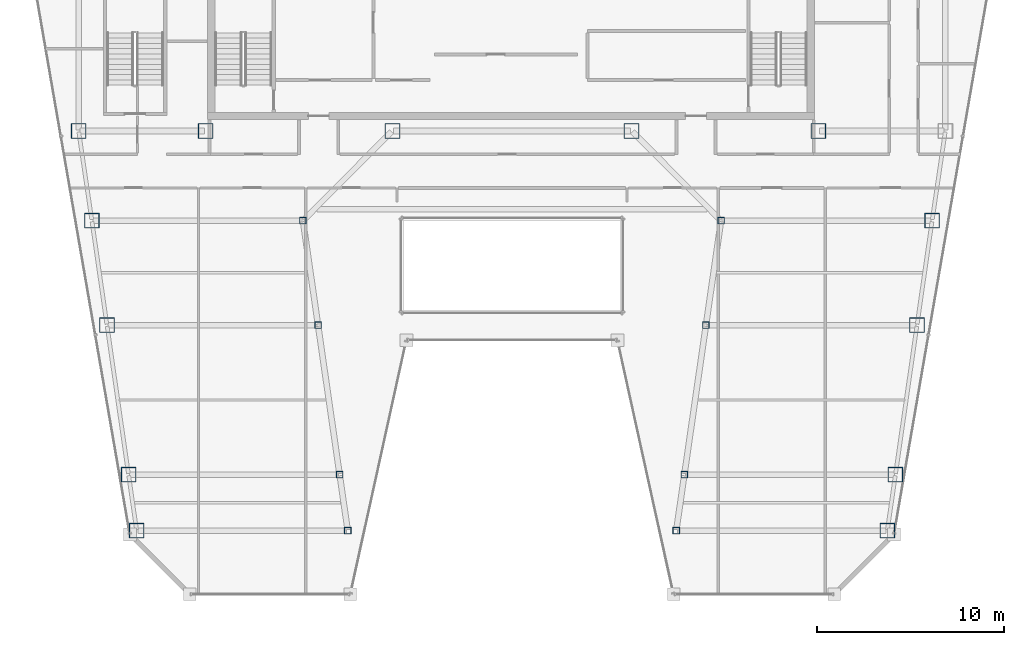
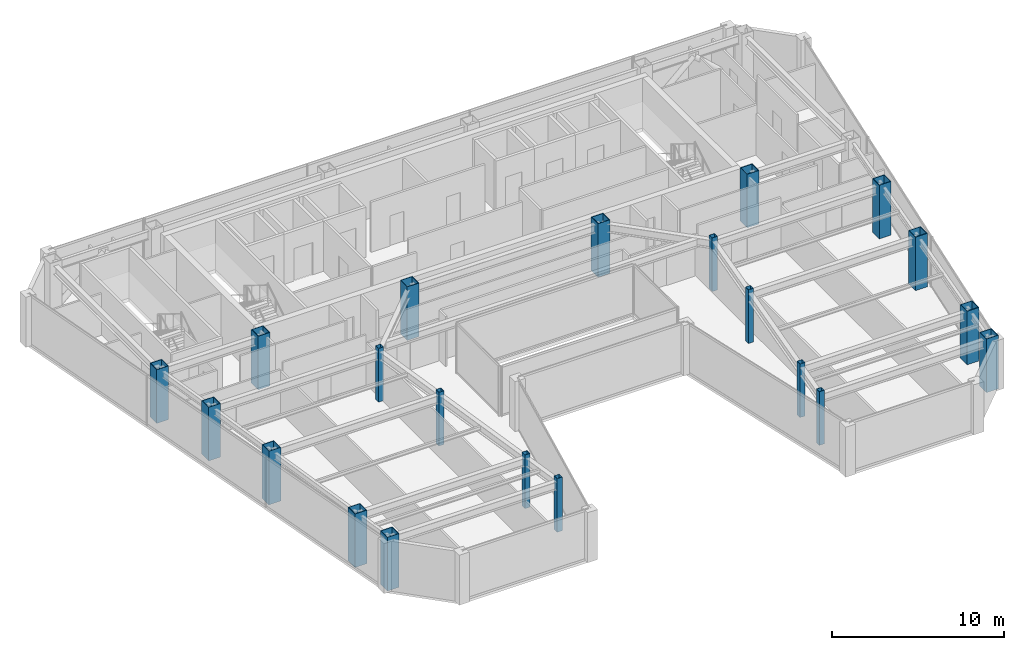
# One storey, part 1 of 32: 21 columns.
"""IFC4 building model written with IfcOpenShell, lengths in metres."""

import ifcopenshell
import ifcopenshell.guid

model = None  # the IFC model being written
_history = None  # IfcOwnerHistory: only IFC2X3 demands one
_inside = {}  # id of a spatial element -> (the spatial element, [elements in it])
_under = {}  # id of a project, library or spatial element -> (it, [spatial elements below it])
_declared = {}  # id of a project -> (the project, [libraries it declares])
_typed = {}  # id of a type object -> (the type object, [elements of that type])
_made_of = {}  # id of a material, layer set ... -> (it, [elements and type objects made of it])


def new_model(schema):
    """Start an empty IFC model of exactly this schema.

    Asked for "IFC4X3", IfcOpenShell would pick the latest addendum, in which some entities
    have other attributes; the version numbers below select the first issue.
    IFC2X3 requires an IfcOwnerHistory on every rooted entity: one is made here for all.
    """
    global model, _history
    if schema == "IFC4X3":
        model = ifcopenshell.file(schema_version=(4, 3, 0, 0))
    else:
        model = ifcopenshell.file(schema=schema)
    _inside.clear()
    _under.clear()
    _declared.clear()
    _typed.clear()
    _made_of.clear()
    _history = None
    if model.schema == "IFC2X3":
        org = make("IfcOrganization", Name="unknown")
        user = make(
            "IfcPersonAndOrganization",
            ThePerson=make("IfcPerson", FamilyName="unknown"),
            TheOrganization=org,
        )
        app = make(
            "IfcApplication",
            ApplicationDeveloper=org,
            Version="unknown",
            ApplicationFullName="unknown",
            ApplicationIdentifier="unknown",
        )
        _history = make(
            "IfcOwnerHistory",
            OwningUser=user,
            OwningApplication=app,
            ChangeAction="ADDED",
            CreationDate=0,
        )
    return model


def make(cls, **values):
    """One entity of the class cls with the attributes given. An attribute that is None is left unset."""
    return model.create_entity(
        cls, **{name: value for name, value in values.items() if value is not None}
    )


def rooted(cls, **values):
    """An entity with a GlobalId (a new one), such as an element, a storey or a relation."""
    return make(cls, GlobalId=ifcopenshell.guid.new(), OwnerHistory=_history, **values)


def si_unit(unit_type, name, prefix=None):
    """IfcSIUnit, for example si_unit("LENGTHUNIT", "METRE", prefix="MILLI")."""
    return make("IfcSIUnit", UnitType=unit_type, Prefix=prefix, Name=name)


def assignment(units):
    """IfcUnitAssignment: the units of a project."""
    return None if units is None else make("IfcUnitAssignment", Units=units)


def point(xyz):
    """IfcCartesianPoint."""
    return None if xyz is None else make("IfcCartesianPoint", Coordinates=xyz)


def direction(xyz):
    """IfcDirection."""
    return None if xyz is None else make("IfcDirection", DirectionRatios=xyz)


def frame(location, z_axis=None, x_axis=None):
    """IfcAxis2Placement3D, a coordinate frame: its origin and axes. An axis left out is left unset."""
    return make(
        "IfcAxis2Placement3D",
        Location=point(location),
        Axis=direction(z_axis),
        RefDirection=direction(x_axis),
    )


def frame_2d(location, x_axis=None):
    """IfcAxis2Placement2D, a coordinate frame in the plane: its origin and x axis."""
    return make(
        "IfcAxis2Placement2D", Location=point(location), RefDirection=direction(x_axis)
    )


def origin():
    """The frame at (0, 0, 0) with its axes left unset."""
    return frame((0.0, 0.0, 0.0))


def origin_2d():
    """The frame at (0, 0) in the plane with its x axis left unset."""
    return frame_2d((0.0, 0.0))


def place(relative_to, where):
    """IfcLocalPlacement: puts the frame where relative to a parent placement (None: the world)."""
    return make(
        "IfcLocalPlacement", PlacementRelTo=relative_to, RelativePlacement=where
    )


def context(
    kind, dimensions, precision=None, world=None, true_north=None, identifier=None
):
    """IfcGeometricRepresentationContext, for example the 3D "Model" context."""
    return make(
        "IfcGeometricRepresentationContext",
        ContextIdentifier=identifier,
        ContextType=kind,
        CoordinateSpaceDimension=dimensions,
        Precision=precision,
        WorldCoordinateSystem=world,
        TrueNorth=true_north,
    )


def subcontext(parent, identifier, kind, view, scale=None):
    """IfcGeometricRepresentationSubContext, for example "Body" below "Model"."""
    return make(
        "IfcGeometricRepresentationSubContext",
        ContextIdentifier=identifier,
        ContextType=kind,
        ParentContext=parent,
        TargetScale=scale,
        TargetView=view,
    )


def project(units=None, contexts=None):
    """IfcProject with its units and contexts."""
    return rooted(
        "IfcProject",
        Name="project",
        RepresentationContexts=contexts,
        UnitsInContext=assignment(units),
    )


def spatial(cls, under=None, at=None, **own):
    """A site, building, storey or space (cls), placed at a placement, below another one or the project."""
    s = rooted(cls, ObjectPlacement=at, **own)
    if under is not None:
        _under.setdefault(under.id(), (under, []))[1].append(s)
    return s


def profile(cls, at=None, kind="AREA", **sizes):
    """A parametric profile (cls). Its sizes go by their IFC names, for example OverallWidth=200.0."""
    return make(cls, ProfileType=kind, Position=at, **sizes)


def hollow_rectangle(**sizes):
    """IfcRectangleHollowProfileDef."""
    return profile("IfcRectangleHollowProfileDef", **sizes)


def extrude(swept, where, along, depth):
    """IfcExtrudedAreaSolid: the profile swept, set in the frame where, extruded along a direction by depth."""
    return make(
        "IfcExtrudedAreaSolid",
        SweptArea=swept,
        Position=where,
        ExtrudedDirection=direction(along),
        Depth=depth,
    )


def shape(context_of_items, identifier, shape_type, items):
    """IfcShapeRepresentation: the items that make up one representation, for example the "Body"."""
    return make(
        "IfcShapeRepresentation",
        ContextOfItems=context_of_items,
        RepresentationIdentifier=identifier,
        RepresentationType=shape_type,
        Items=items,
    )


def material(Name=None, Category=None):
    """IfcMaterial."""
    return make("IfcMaterial", Name=Name, Category=Category)


def material_profile(
    of_material, cross_section, Name=None, Category=None, Priority=None
):
    """IfcMaterialProfile: a cross section and its material."""
    return make(
        "IfcMaterialProfile",
        Name=Name,
        Material=of_material,
        Profile=cross_section,
        Priority=Priority,
        Category=Category,
    )


def profile_set(profiles, Name=None, composite=None):
    """IfcMaterialProfileSet."""
    return make(
        "IfcMaterialProfileSet",
        Name=Name,
        MaterialProfiles=profiles,
        CompositeProfile=composite,
    )


def made_of(thing, what):
    """Note that an element or type object is made of a material, layer set ...; save() writes the relation."""
    if what is not None:
        _made_of.setdefault(what.id(), (what, []))[1].append(thing)
    return thing


def type_object(cls, material=None, **own):
    """A type object (cls), such as IfcWallType, which elements share."""
    return made_of(rooted(cls, **own), material)


def element(
    cls,
    number,
    at=None,
    inside=None,
    cuts=None,
    type_object=None,
    material=None,
    context=None,
    identifier="Body",
    shape_type=None,
    held_by="IfcProductDefinitionShape",
    body=None,
    shapes=None,
    **own,
):
    """One element of the class cls, such as IfcWall. Its Tag is "e" and its number.

    at: its placement. inside: the storey or other place that contains it. cuts: it is an
    opening in that element (IfcRelVoidsElement). A single representation is given by context,
    identifier, shape_type and body (its items); several are given by shapes. held_by: the class
    of the entity that holds the representations. save() writes the other relations.
    """
    e = rooted(cls, Tag="e%d" % number, ObjectPlacement=at, **own)
    if body is not None:
        shapes = [shape(context, identifier, shape_type, body)]
    if shapes is not None:
        e.Representation = make(held_by, Representations=shapes)
    if inside is not None:
        _inside.setdefault(inside.id(), (inside, []))[1].append(e)
    if cuts is not None:
        rooted(
            "IfcRelVoidsElement", RelatingBuildingElement=cuts, RelatedOpeningElement=e
        )
    if type_object is not None:
        _typed.setdefault(type_object.id(), (type_object, []))[1].append(e)
    return made_of(e, material)


def aggregate(whole, parts):
    """IfcRelAggregates: a whole, such as a stair, and the parts it consists of."""
    return rooted("IfcRelAggregates", RelatingObject=whole, RelatedObjects=parts)


def save(model, path):
    """Write the relations noted so far, then the file.

    IfcRelAggregates (storeys below a building ...), IfcRelContainedInSpatialStructure (elements
    in a storey), IfcRelDefinesByType, IfcRelAssociatesMaterial and IfcRelDeclares: one each for
    every whole, place, type object, material and project.
    """
    for whole, parts in _under.values():
        aggregate(whole, parts)
    for where, things in _inside.values():
        rooted(
            "IfcRelContainedInSpatialStructure",
            RelatedElements=things,
            RelatingStructure=where,
        )
    for kind, things in _typed.values():
        rooted("IfcRelDefinesByType", RelatedObjects=things, RelatingType=kind)
    for what, things in _made_of.values():
        rooted("IfcRelAssociatesMaterial", RelatedObjects=things, RelatingMaterial=what)
    for by, libraries in _declared.values():
        rooted("IfcRelDeclares", RelatingContext=by, RelatedDefinitions=libraries)
    model.write(path)


model = new_model("IFC4")

# Units and contexts
model_context = context("Model", 3, precision=1e-05, world=origin(), true_north=direction((0.0, 1.0)))
body_context = subcontext(model_context, "Body", "Model", "MODEL_VIEW")
ifc_project = project(units=[si_unit("LENGTHUNIT", "METRE"), si_unit("AREAUNIT", "SQUARE_METRE"), si_unit("VOLUMEUNIT", "CUBIC_METRE"), si_unit("PLANEANGLEUNIT", "RADIAN"), si_unit("MASSUNIT", "GRAM", prefix="KILO")], contexts=[model_context])

# Site, building, storey
site_placement = place(None, origin())
site = spatial("IfcSite", under=ifc_project, at=site_placement, CompositionType="ELEMENT")
building_placement = place(site_placement, origin())
building = spatial("IfcBuilding", under=site, at=building_placement, Name="Saevonmaru Cultural Tower", CompositionType="ELEMENT")
storey_placement = place(building_placement, frame((0.0, 0.0, 242.0)))
storey = spatial("IfcBuildingStorey", under=building, at=storey_placement, Name="L56", CompositionType="ELEMENT", Elevation=242.0)

# Columns
ifc_material_1 = material(Name="Steel SM420", Category="steel")
ifc_material_profile_1 = material_profile(ifc_material_1, hollow_rectangle(XDim=0.800048828125, YDim=0.800048828125, WallThickness=0.035888671875, at=origin_2d()), Name="BOX-800x800x36")
ifc_profile_set_1 = profile_set([ifc_material_profile_1], Name="Steel SM420")
column_type_1 = type_object("IfcColumnType", Name="COL-BOX-800", PredefinedType="COLUMN", material=ifc_profile_set_1)
for number, where, z_axis, x_axis, name in (
    (1, (6.800048828125, 42.39990234375, 0.0), (0.0, 0.0, 1.0), (1.0, 0.0, 0.0), "L56 Column TC-S1C"),
    (2, (13.60009765625, 42.39990234375, 0.0), (0.0, 0.0, 1.0), (1.0, 0.0, 0.0), "L56 Column TC-S2C"),
    (3, (23.60009765625, 42.39990234375, 0.0), (0.0, 0.0, 1.0), (1.0, 0.0, 0.0), "L56 Column TC-S3C"),
    (4, (36.39990234375, 42.39990234375, 0.0), (0.0, 0.0, 1.0), (1.0, 0.0, 0.0), "L56 Column TC-S4C"),
    (5, (46.39990234375, 42.39990234375, 0.0), (0.0, 0.0, 1.0), (1.0, 0.0, 0.0), "L56 Column TC-S5C"),
    (6, (9.906005859375, 21.0, 0.0), (0.0, 0.0, 1.0), (1.0, 0.0, 0.0), "L56 Column TC-WO-Y210"),
    (7, (50.093994140625, 21.0, 0.0), (0.0, 0.0, 1.0), (1.0, 0.0, 0.0), "L56 Column TC-EO-Y210"),
    (8, (9.471923828125, 24.0, 0.0), (0.0, 0.0, 1.0), (1.0, 0.0, 0.0), "L56 Column TC-WO-Y240"),
    (9, (50.528076171875, 24.0, 0.0), (0.0, 0.0, 1.0), (1.0, 0.0, 0.0), "L56 Column TC-EO-Y240"),
    (10, (8.31689453125, 32.0, 0.0), (0.0, 0.0, 1.0), (1.0, 0.0, 0.0), "L56 Column TC-WO-Y320"),
    (11, (51.68310546875, 32.0, 0.0), (0.0, 0.0, 1.0), (1.0, 0.0, 0.0), "L56 Column TC-EO-Y320"),
    (12, (7.508056640625, 37.60009765625, 0.0), (0.0, 0.0, 1.0), (1.0, 0.0, 0.0), "L56 Column TC-WO-Y376"),
    (13, (52.491943359375, 37.60009765625, 0.0), (0.0, 0.0, 1.0), (1.0, 0.0, 0.0), "L56 Column TC-EO-Y376"),
):
    element("IfcColumn", number, at=place(storey_placement, frame(where, z_axis=z_axis, x_axis=x_axis)), inside=storey, type_object=column_type_1, Name=name, PredefinedType="COLUMN", context=body_context, shape_type="SweptSolid", body=[
        extrude(hollow_rectangle(XDim=0.800048828125, YDim=0.800048828125, WallThickness=0.035888671875, at=origin_2d()), origin(), (0.0, 0.0, 1.0), 3.800048828125),
    ])
ifc_material_2 = material(Name="Steel SM355", Category="steel")
ifc_material_profile_2 = material_profile(ifc_material_2, hollow_rectangle(XDim=0.35009765625, YDim=0.35009765625, WallThickness=0.01611328125, at=origin_2d()), Name="SHS-350x350x16")
ifc_profile_set_2 = profile_set([ifc_material_profile_2], Name="Steel SM355")
column_type_2 = type_object("IfcColumnType", Name="COL-SHS-350", PredefinedType="COLUMN", material=ifc_profile_set_2)
for number, where, z_axis, x_axis, name in (
    (14, (21.2060546875, 21.0, 0.0), (0.0, 0.0, 1.0), (1.0, 0.0, 0.0), "L56 Column TC-WI-Y210"),
    (15, (38.7939453125, 21.0, 0.0), (0.0, 0.0, 1.0), (1.0, 0.0, 0.0), "L56 Column TC-EI-Y210"),
    (16, (20.77197265625, 24.0, 0.0), (0.0, 0.0, 1.0), (1.0, 0.0, 0.0), "L56 Column TC-WI-Y240"),
    (17, (39.22802734375, 24.0, 0.0), (0.0, 0.0, 1.0), (1.0, 0.0, 0.0), "L56 Column TC-EI-Y240"),
    (18, (19.616943359375, 32.0, 0.0), (0.0, 0.0, 1.0), (1.0, 0.0, 0.0), "L56 Column TC-WI-Y320"),
    (19, (40.383056640625, 32.0, 0.0), (0.0, 0.0, 1.0), (1.0, 0.0, 0.0), "L56 Column TC-EI-Y320"),
    (20, (18.80810546875, 37.60009765625, 0.0), (0.0, 0.0, 1.0), (1.0, 0.0, 0.0), "L56 Column TC-WI-Y376"),
    (21, (41.19189453125, 37.60009765625, 0.0), (0.0, 0.0, 1.0), (1.0, 0.0, 0.0), "L56 Column TC-EI-Y376"),
):
    element("IfcColumn", number, at=place(storey_placement, frame(where, z_axis=z_axis, x_axis=x_axis)), inside=storey, type_object=column_type_2, Name=name, PredefinedType="COLUMN", context=body_context, shape_type="SweptSolid", body=[
        extrude(hollow_rectangle(XDim=0.35009765625, YDim=0.35009765625, WallThickness=0.01611328125, at=origin_2d()), origin(), (0.0, 0.0, 1.0), 3.800048828125),
    ])

save(model, "model.ifc")
